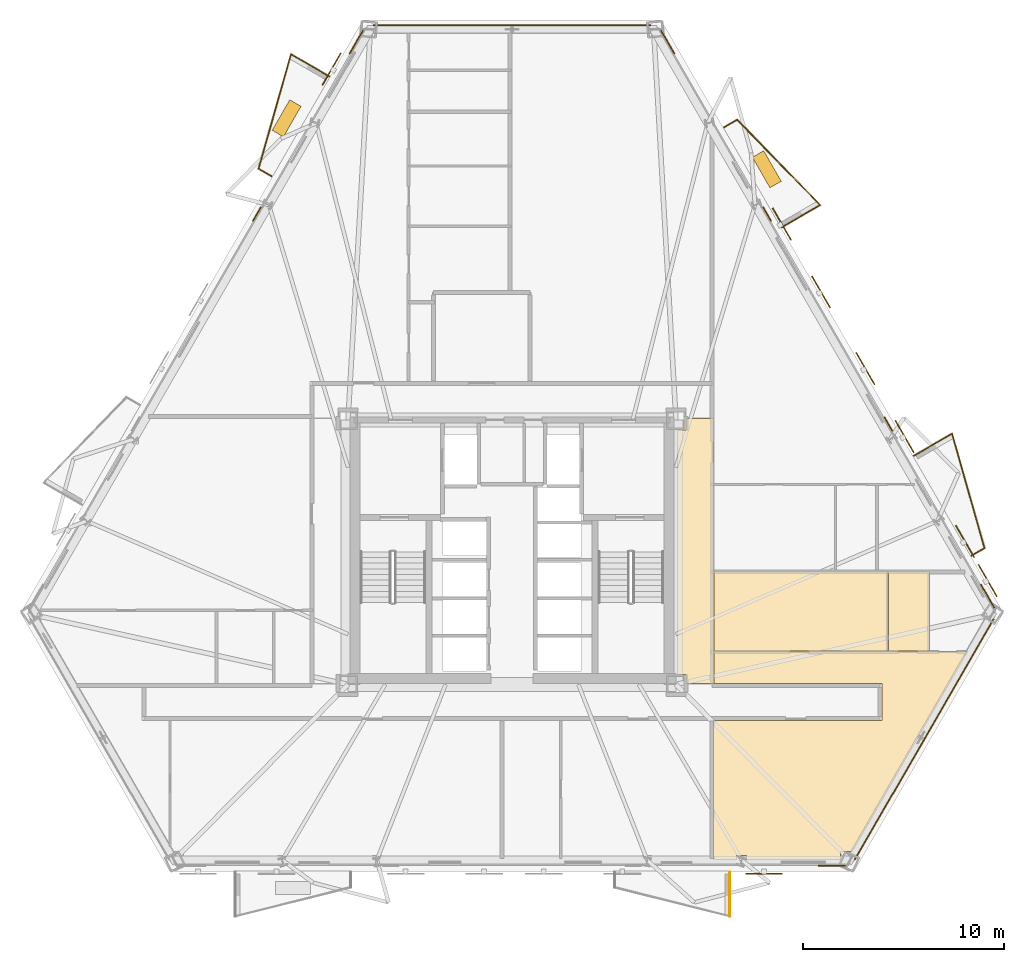
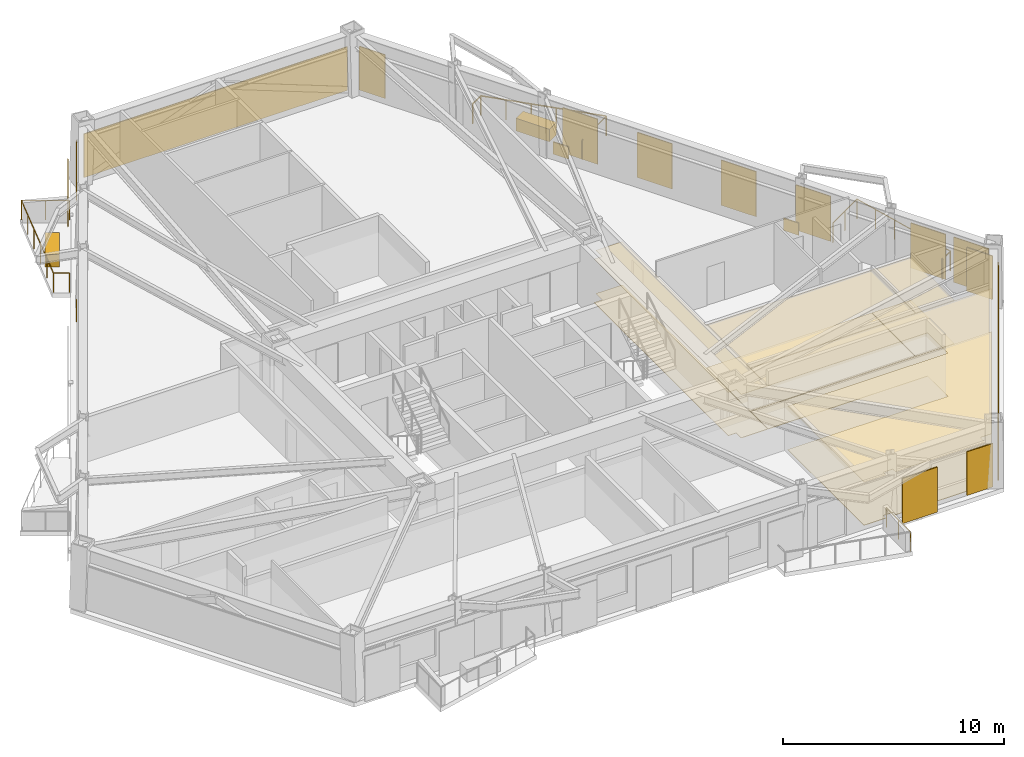
# One storey, part 10 of 10: 19 coverings, 10 railings, 8 shading devices.
"""IFC4 building model written with IfcOpenShell, lengths in metres."""

from ifc_helpers import new_model, si_unit, direction, frame, origin, origin_2d, place, context, subcontext, project, spatial, polyline, rectangle, circle, outline, extrude, material, layer, layer_set, type_object, element, save


model = new_model("IFC4")

# Units and contexts
model_context = context("Model", 3, precision=1e-05, world=origin(), true_north=direction((0.0, 1.0)))
body_context = subcontext(model_context, "Body", "Model", "MODEL_VIEW")
ifc_project = project(units=[si_unit("LENGTHUNIT", "METRE"), si_unit("AREAUNIT", "SQUARE_METRE"), si_unit("VOLUMEUNIT", "CUBIC_METRE"), si_unit("PLANEANGLEUNIT", "RADIAN"), si_unit("MASSUNIT", "GRAM", prefix="KILO")], contexts=[model_context])

# Site, building, storey
site_placement = place(None, origin())
site = spatial("IfcSite", under=ifc_project, at=site_placement, CompositionType="ELEMENT")
building_placement = place(site_placement, origin())
building = spatial("IfcBuilding", under=site, at=building_placement, Name="Oramaril Tower", CompositionType="ELEMENT")
storey_placement = place(building_placement, frame((0.0, 0.0, 56.10009765625)))
storey = spatial("IfcBuildingStorey", under=building, at=storey_placement, Name="L14", CompositionType="ELEMENT", Elevation=56.10009765625)

# Coverings
ifc_material_1 = material(Name="Mineral Fibre Acoustic Ceiling")
ifc_layer_1 = layer(ifc_material_1, 0.02001953125)
ifc_layer_set_1 = layer_set([ifc_layer_1], Name="CVT-CEIL")
covering_type_1 = type_object("IfcCoveringType", Name="CVT-CEIL", PredefinedType="CEILING", material=ifc_layer_set_1)
covering_1_placement = place(storey_placement, frame((0.0, 0.0, 2.39990234375)))
element("IfcCovering", 1, at=covering_1_placement, inside=storey, type_object=covering_type_1, Name="L14 Acoustic Suspended Ceiling 4", PredefinedType="CEILING", context=body_context, shape_type="SweptSolid", body=[
    extrude(outline(polyline([(47.530029296875, 11.050048828125), (46.14501953125, 11.050048828125), (46.14501953125, 11.4951171875), (45.719970703125, 11.4951171875), (45.719970703125, 23.655029296875), (46.14501953125, 23.655029296875), (46.14501953125, 24.219970703125), (47.530029296875, 24.219970703125), (47.530029296875, 11.050048828125)])), origin(), (0.0, 0.0, 1.0), 0.02001953125),
])
covering_2_placement = place(storey_placement, frame((0.0, 0.0, 2.39990234375)))
element("IfcCovering", 2, at=covering_2_placement, inside=storey, type_object=covering_type_1, Name="L14 Acoustic Suspended Ceiling 14", PredefinedType="CEILING", context=body_context, shape_type="SweptSolid", body=[
    extrude(outline(polyline([(60.16650390625, 12.645263671875), (54.4208984375, 2.693603515625), (53.826904296875, 2.693603515625), (53.826904296875, 2.2841796875), (49.15576171875, 2.2841796875), (49.15576171875, 2.5107421875), (48.65087890625, 2.5107421875), (48.65087890625, 2.2841796875), (47.511962890625, 2.2841796875), (47.511962890625, 9.199951171875), (55.8798828125, 9.199951171875), (55.882080078125, 9.2001953125), (55.8837890625, 9.200439453125), (55.8857421875, 9.200927734375), (55.8876953125, 9.201416015625), (55.889404296875, 9.202392578125), (55.89111328125, 9.203369140625), (55.892578125, 9.20458984375), (55.89404296875, 9.205810546875), (55.8955078125, 9.207275390625), (55.896484375, 9.208984375), (55.897705078125, 9.210693359375), (55.8984375, 9.21240234375), (55.899169921875, 9.214111328125), (55.899658203125, 9.216064453125), (55.89990234375, 9.218017578125), (55.89990234375, 9.219970703125), (55.89990234375, 11.030029296875), (55.89990234375, 11.031982421875), (55.899658203125, 11.033935546875), (55.899169921875, 11.035888671875), (55.8984375, 11.03759765625), (55.897705078125, 11.039306640625), (55.896484375, 11.041015625), (55.8955078125, 11.042724609375), (55.89404296875, 11.044189453125), (55.892578125, 11.04541015625), (55.89111328125, 11.046630859375), (55.889404296875, 11.047607421875), (55.8876953125, 11.048583984375), (55.8857421875, 11.049072265625), (55.8837890625, 11.049560546875), (55.882080078125, 11.0498046875), (55.8798828125, 11.050048828125), (47.550048828125, 11.050048828125), (47.550048828125, 12.645263671875), (60.16650390625, 12.645263671875)])), origin(), (0.0, 0.0, 1.0), 0.02001953125),
])
covering_3_placement = place(storey_placement, frame((0.0, 0.0, 2.39990234375)))
element("IfcCovering", 3, at=covering_3_placement, inside=storey, type_object=covering_type_1, Name="L14 Acoustic Suspended Ceiling 15", PredefinedType="CEILING", context=body_context, shape_type="SweptSolid", body=[
    extrude(outline(polyline([(56.19580078125, 16.64208984375), (56.19580078125, 12.665283203125), (47.550048828125, 12.665283203125), (47.550048828125, 16.64208984375), (56.19580078125, 16.64208984375)])), origin(), (0.0, 0.0, 1.0), 0.02001953125),
])
covering_4_placement = place(storey_placement, frame((0.0, 0.0, 2.39990234375)))
element("IfcCovering", 4, at=covering_4_placement, inside=storey, type_object=covering_type_1, Name="L14 Acoustic Suspended Ceiling 16", PredefinedType="CEILING", context=body_context, shape_type="SweptSolid", body=[
    extrude(outline(polyline([(58.245849609375, 16.64208984375), (58.245849609375, 12.665283203125), (56.2158203125, 12.665283203125), (56.2158203125, 16.64208984375), (58.245849609375, 16.64208984375)])), origin(), (0.0, 0.0, 1.0), 0.02001953125),
])
ifc_material_2 = material(Name="Warm Cream Limestone", Category="masonry")
ifc_layer_2 = layer(ifc_material_2, 0.050048828125)
ifc_layer_set_2 = layer_set([ifc_layer_2], Name="CVT-CLD")
covering_type_2 = type_object("IfcCoveringType", Name="CVT-CLD", PredefinedType="CLADDING", material=ifc_layer_set_2)
covering_5_placement = place(storey_placement, frame((53.39697265625, 1.983154296875, 0.039794921875), z_axis=(0.0, 0.0, 1.0), x_axis=(1.0, 0.0, 0.0)))
element("IfcCovering", 5, at=covering_5_placement, inside=storey, type_object=covering_type_2, Name="L14 Warm Cream Limestone Cladding", PredefinedType="CLADDING", context=body_context, shape_type="SweptSolid", body=[
    extrude(rectangle(XDim=1.35009765625, YDim=0.050048828125, at=origin_2d()), origin(), (0.0, 0.0, 1.0), 2.4140625),
])
covering_6_placement = place(storey_placement, frame((57.988525390625, 8.27099609375, 0.039794921875), z_axis=(0.0, 0.0, 1.0), x_axis=(0.500001511499, 0.866024531118, 0.0)))
element("IfcCovering", 6, at=covering_6_placement, inside=storey, type_object=covering_type_2, Name="L14 Warm Cream Limestone Cladding", PredefinedType="CLADDING", context=body_context, shape_type="SweptSolid", body=[
    extrude(rectangle(XDim=13.798095703125, YDim=0.050048828125, at=origin_2d()), origin(), (0.0, 0.0, 1.0), 2.4140625),
])
for number, where, z_axis, x_axis, name in (
    (7, (61.137939453125, 15.39111328125, 0.039794921875), (0.0, 0.0, 1.0), (-0.4999984885, 0.866026276448, 0.0), "L14 Warm Cream Limestone Cladding"),
    (8, (45.2412109375, 42.925537109375, 0.039794921875), (0.0, 0.0, 1.0), (-0.4999984885, 0.866026276448, 0.0), "L14 Warm Cream Limestone Cladding"),
):
    element("IfcCovering", number, at=place(storey_placement, frame(where, z_axis=z_axis, x_axis=x_axis)), inside=storey, type_object=covering_type_2, Name=name, PredefinedType="CLADDING", context=body_context, shape_type="SweptSolid", body=[
        extrude(rectangle(XDim=1.35009765625, YDim=0.050048828125, at=origin_2d()), origin(), (0.0, 0.0, 1.0), 2.4140625),
    ])
for number, where, z_axis, x_axis, name in (
    (9, (56.2041015625, 23.937255859375, 0.0400390625), (0.0, 0.0, 1.0), (-0.4999984885, 0.866026276448, 0.0), "L14 Warm Cream Limestone Spandrel Cladding"),
    (10, (50.17529296875, 34.379638671875, 0.0400390625), (0.0, 0.0, 1.0), (-0.4999984885, 0.866026276448, 0.0), "L14 Warm Cream Limestone Spandrel Cladding"),
):
    element("IfcCovering", number, at=place(storey_placement, frame(where, z_axis=z_axis, x_axis=x_axis)), inside=storey, type_object=covering_type_2, Name=name, PredefinedType="CLADDING", context=body_context, shape_type="SweptSolid", body=[
        extrude(rectangle(XDim=0.800048828125, YDim=0.050048828125, at=origin_2d()), origin(), (0.0, 0.0, 1.0), 0.679931640625),
    ])
covering_7_placement = place(storey_placement, frame((37.5, 43.75830078125, 0.039794921875), z_axis=(0.0, 0.0, 1.0), x_axis=(-1.0, 0.0, 0.0)))
element("IfcCovering", 11, at=covering_7_placement, inside=storey, type_object=covering_type_2, Name="L14 Warm Cream Limestone Cladding", PredefinedType="CLADDING", context=body_context, shape_type="SweptSolid", body=[
    extrude(rectangle(XDim=13.798095703125, YDim=0.050048828125, at=origin_2d()), origin(), (0.0, 0.0, 1.0), 2.4140625),
])
covering_8_placement = place(storey_placement, frame((29.7587890625, 42.925537109375, 0.039794921875), z_axis=(0.0, 0.0, 1.0), x_axis=(-0.4999984885, -0.866026276448, 0.0)))
element("IfcCovering", 12, at=covering_8_placement, inside=storey, type_object=covering_type_2, Name="L14 Warm Cream Limestone Cladding", PredefinedType="CLADDING", context=body_context, shape_type="SweptSolid", body=[
    extrude(rectangle(XDim=1.35009765625, YDim=0.050048828125, at=origin_2d()), origin(), (0.0, 0.0, 1.0), 2.4140625),
])
covering_9_placement = place(storey_placement, frame((24.82470703125, 34.379638671875, 0.0400390625), z_axis=(0.0, 0.0, 1.0), x_axis=(-0.4999984885, -0.866026276448, 0.0)))
element("IfcCovering", 13, at=covering_9_placement, inside=storey, type_object=covering_type_2, Name="L14 Warm Cream Limestone Spandrel Cladding", PredefinedType="CLADDING", context=body_context, shape_type="SweptSolid", body=[
    extrude(rectangle(XDim=0.800048828125, YDim=0.050048828125, at=origin_2d()), origin(), (0.0, 0.0, 1.0), 0.679931640625),
])
for number, where, z_axis, x_axis, name in (
    (14, (50.1640625, 36.60595703125, 0.0), (0.0, 0.0, 1.0), (-0.4999984885, 0.866026276448, 0.0), "L14 Structural Tree Planter Box L14-BAL-NE2"),
    (15, (26.29833984375, 39.138916015625, 0.0), (0.0, 0.0, 1.0), (-0.4999984885, -0.866026276448, 0.0), "L14 Structural Tree Planter Box L14-BAL-NW1"),
):
    element("IfcCovering", number, at=place(storey_placement, frame(where, z_axis=z_axis, x_axis=x_axis)), inside=storey, type_object=covering_type_2, Name=name, PredefinedType="CLADDING", context=body_context, shape_type="SweptSolid", body=[
        extrude(rectangle(XDim=1.75, YDim=0.64990234375, at=origin_2d()), origin(), (0.0, 0.0, 1.0), 0.699951171875),
    ])
ifc_material_3 = material(Name="Honed Quartzite Stone Flooring", Category="masonry")
ifc_layer_3 = layer(ifc_material_3, 0.02490234375)
ifc_layer_set_3 = layer_set([ifc_layer_3], Name="CVT-FLR")
covering_type_3 = type_object("IfcCoveringType", Name="CVT-FLR", PredefinedType="FLOORING", material=ifc_layer_set_3)
covering_10_placement = place(storey_placement, origin())
element("IfcCovering", 16, at=covering_10_placement, inside=storey, type_object=covering_type_3, Name="L14 Honed Stone Floor Finish 4", PredefinedType="FLOORING", context=body_context, shape_type="SweptSolid", body=[
    extrude(outline(polyline([(47.530029296875, 11.050048828125), (46.14501953125, 11.050048828125), (46.14501953125, 11.4951171875), (45.719970703125, 11.4951171875), (45.719970703125, 23.655029296875), (46.14501953125, 23.655029296875), (46.14501953125, 24.219970703125), (47.530029296875, 24.219970703125), (47.530029296875, 11.050048828125)])), origin(), (0.0, 0.0, 1.0), 0.02490234375),
])
covering_11_placement = place(storey_placement, origin())
element("IfcCovering", 17, at=covering_11_placement, inside=storey, type_object=covering_type_3, Name="L14 Honed Stone Floor Finish 14", PredefinedType="FLOORING", context=body_context, shape_type="SweptSolid", body=[
    extrude(outline(polyline([(60.16650390625, 12.645263671875), (54.4208984375, 2.693603515625), (53.826904296875, 2.693603515625), (53.826904296875, 2.2841796875), (49.15576171875, 2.2841796875), (49.15576171875, 2.5107421875), (48.65087890625, 2.5107421875), (48.65087890625, 2.2841796875), (47.511962890625, 2.2841796875), (47.511962890625, 9.199951171875), (55.8798828125, 9.199951171875), (55.882080078125, 9.2001953125), (55.8837890625, 9.200439453125), (55.8857421875, 9.200927734375), (55.8876953125, 9.201416015625), (55.889404296875, 9.202392578125), (55.89111328125, 9.203369140625), (55.892578125, 9.20458984375), (55.89404296875, 9.205810546875), (55.8955078125, 9.207275390625), (55.896484375, 9.208984375), (55.897705078125, 9.210693359375), (55.8984375, 9.21240234375), (55.899169921875, 9.214111328125), (55.899658203125, 9.216064453125), (55.89990234375, 9.218017578125), (55.89990234375, 9.219970703125), (55.89990234375, 11.030029296875), (55.89990234375, 11.031982421875), (55.899658203125, 11.033935546875), (55.899169921875, 11.035888671875), (55.8984375, 11.03759765625), (55.897705078125, 11.039306640625), (55.896484375, 11.041015625), (55.8955078125, 11.042724609375), (55.89404296875, 11.044189453125), (55.892578125, 11.04541015625), (55.89111328125, 11.046630859375), (55.889404296875, 11.047607421875), (55.8876953125, 11.048583984375), (55.8857421875, 11.049072265625), (55.8837890625, 11.049560546875), (55.882080078125, 11.0498046875), (55.8798828125, 11.050048828125), (47.550048828125, 11.050048828125), (47.550048828125, 12.645263671875), (60.16650390625, 12.645263671875)])), origin(), (0.0, 0.0, 1.0), 0.02490234375),
])
covering_12_placement = place(storey_placement, origin())
element("IfcCovering", 18, at=covering_12_placement, inside=storey, type_object=covering_type_3, Name="L14 Honed Stone Floor Finish 15", PredefinedType="FLOORING", context=body_context, shape_type="SweptSolid", body=[
    extrude(outline(polyline([(56.19580078125, 16.64208984375), (56.19580078125, 12.665283203125), (47.550048828125, 12.665283203125), (47.550048828125, 16.64208984375), (56.19580078125, 16.64208984375)])), origin(), (0.0, 0.0, 1.0), 0.02490234375),
])
covering_13_placement = place(storey_placement, origin())
element("IfcCovering", 19, at=covering_13_placement, inside=storey, type_object=covering_type_3, Name="L14 Honed Stone Floor Finish 16", PredefinedType="FLOORING", context=body_context, shape_type="SweptSolid", body=[
    extrude(outline(polyline([(58.245849609375, 16.64208984375), (58.245849609375, 12.665283203125), (56.2158203125, 12.665283203125), (56.2158203125, 16.64208984375), (58.245849609375, 16.64208984375)])), origin(), (0.0, 0.0, 1.0), 0.02490234375),
])

# Railings
ifc_material_4 = material(Name="Stainless Steel 316L", Category="steel")
railing_type = type_object("IfcRailingType", Name="RLT-GRD", PredefinedType="GUARDRAIL", material=ifc_material_4)
railing_1_placement = place(storey_placement, frame((48.327392578125, 1.668212890625, 0.0)))
element("IfcRailing", 20, at=railing_1_placement, inside=storey, type_object=railing_type, Name="L14 Balcony Guardrail L14-BAL-S2.1", PredefinedType="GUARDRAIL", context=body_context, shape_type="SweptSolid", body=[
    extrude(circle(Radius=0.02392578125, at=origin_2d()), frame((0.0, 0.0, 1.076171875), z_axis=(0.0, -1.0, 0.0), x_axis=(1.0, 0.0, 0.0)), (0.0, 0.0, 1.0), 2.19189453125),
    extrude(circle(Radius=0.02099609375, at=origin_2d()), origin(), (0.0, 0.0, 1.0), 1.052001953125),
    extrude(circle(Radius=0.02099609375, at=origin_2d()), frame((0.0, -1.095947265625, 0.0)), (0.0, 0.0, 1.0), 1.052001953125),
    extrude(circle(Radius=0.02099609375, at=origin_2d()), frame((0.0, -2.19189453125, 0.0)), (0.0, 0.0, 1.0), 1.052001953125),
])
railing_2_placement = place(storey_placement, frame((57.4736328125, 22.3681640625, 0.0)))
element("IfcRailing", 21, at=railing_2_placement, inside=storey, type_object=railing_type, Name="L14 Balcony Guardrail L14-BAL-NE1.1", PredefinedType="GUARDRAIL", context=body_context, shape_type="SweptSolid", body=[
    extrude(circle(Radius=0.02392578125, at=origin_2d()), frame((0.0, 0.0, 1.076171875), z_axis=(0.866048343933, 0.499960264392, 0.0), x_axis=(-0.499960264392, 0.866048343933, 0.0)), (0.0, 0.0, 1.0), 2.192138671875),
    extrude(circle(Radius=0.02099609375, at=origin_2d()), origin(), (0.0, 0.0, 1.0), 1.052001953125),
    extrude(circle(Radius=0.02099609375, at=origin_2d()), frame((0.94921875, 0.5478515625, 0.0)), (0.0, 0.0, 1.0), 1.052001953125),
    extrude(circle(Radius=0.02099609375, at=origin_2d()), frame((1.8984375, 1.095947265625, 0.0)), (0.0, 0.0, 1.0), 1.052001953125),
])
railing_3_placement = place(storey_placement, frame((59.3720703125, 23.464111328125, 0.0)))
element("IfcRailing", 22, at=railing_3_placement, inside=storey, type_object=railing_type, Name="L14 Balcony Guardrail L14-BAL-NE1.2", PredefinedType="GUARDRAIL", context=body_context, shape_type="SweptSolid", body=[
    extrude(circle(Radius=0.02392578125, at=origin_2d()), frame((0.0, 0.0, 1.076171875), z_axis=(0.27224886544, -0.962226873074, 0.0), x_axis=(0.962226873074, 0.27224886544, 0.0)), (0.0, 0.0, 1.0), 5.910400390625),
    extrude(circle(Radius=0.02099609375, at=origin_2d()), origin(), (0.0, 0.0, 1.0), 1.052001953125),
    extrude(circle(Radius=0.02099609375, at=origin_2d()), frame((0.32177734375, -1.137451171875, 0.0)), (0.0, 0.0, 1.0), 1.052001953125),
    extrude(circle(Radius=0.02099609375, at=origin_2d()), frame((0.6435546875, -2.27490234375, 0.0)), (0.0, 0.0, 1.0), 1.052001953125),
    extrude(circle(Radius=0.02099609375, at=origin_2d()), frame((0.965576171875, -3.412353515625, 0.0)), (0.0, 0.0, 1.0), 1.052001953125),
    extrude(circle(Radius=0.02099609375, at=origin_2d()), frame((1.287353515625, -4.5498046875, 0.0)), (0.0, 0.0, 1.0), 1.052001953125),
    extrude(circle(Radius=0.02099609375, at=origin_2d()), frame((1.609130859375, -5.687255859375, 0.0)), (0.0, 0.0, 1.0), 1.052001953125),
])
railing_4_placement = place(storey_placement, frame((60.981201171875, 17.77685546875, 0.0)))
element("IfcRailing", 23, at=railing_4_placement, inside=storey, type_object=railing_type, Name="L14 Balcony Guardrail L14-BAL-NE1.3", PredefinedType="GUARDRAIL", context=body_context, shape_type="SweptSolid", body=[
    extrude(circle(Radius=0.02392578125, at=origin_2d()), frame((0.0, 0.0, 1.076171875), z_axis=(-0.866108878364, -0.499855389907, 0.0), x_axis=(0.499855389907, -0.866108878364, 0.0)), (0.0, 0.0, 1.0), 0.741943359375),
    extrude(circle(Radius=0.02099609375, at=origin_2d()), origin(), (0.0, 0.0, 1.0), 1.052001953125),
    extrude(circle(Radius=0.02099609375, at=origin_2d()), frame((-0.642578125, -0.370849609375, 0.0)), (0.0, 0.0, 1.0), 1.052001953125),
])
railing_5_placement = place(storey_placement, frame((48.048583984375, 38.69287109375, 0.0)))
element("IfcRailing", 24, at=railing_5_placement, inside=storey, type_object=railing_type, Name="L14 Balcony Guardrail L14-BAL-NE2.1", PredefinedType="GUARDRAIL", context=body_context, shape_type="SweptSolid", body=[
    extrude(circle(Radius=0.02392578125, at=origin_2d()), frame((0.0, 0.0, 1.076171875), z_axis=(0.866108878364, 0.499855389907, 0.0), x_axis=(-0.499855389907, 0.866108878364, 0.0)), (0.0, 0.0, 1.0), 0.741943359375),
    extrude(circle(Radius=0.02099609375, at=origin_2d()), origin(), (0.0, 0.0, 1.0), 1.052001953125),
    extrude(circle(Radius=0.02099609375, at=origin_2d()), frame((0.642578125, 0.370849609375, 0.0)), (0.0, 0.0, 1.0), 1.052001953125),
])
railing_6_placement = place(storey_placement, frame((48.691162109375, 39.063720703125, 0.0)))
element("IfcRailing", 25, at=railing_6_placement, inside=storey, type_object=railing_type, Name="L14 Balcony Guardrail L14-BAL-NE2.2", PredefinedType="GUARDRAIL", context=body_context, shape_type="SweptSolid", body=[
    extrude(circle(Radius=0.02392578125, at=origin_2d()), frame((0.0, 0.0, 1.076171875), z_axis=(0.697186915353, -0.716889395277, 0.0), x_axis=(0.716889395277, 0.697186915353, 0.0)), (0.0, 0.0, 1.0), 5.91064453125),
    extrude(circle(Radius=0.02099609375, at=origin_2d()), origin(), (0.0, 0.0, 1.0), 1.052001953125),
    extrude(circle(Radius=0.02099609375, at=origin_2d()), frame((0.82421875, -0.847412109375, 0.0)), (0.0, 0.0, 1.0), 1.052001953125),
    extrude(circle(Radius=0.02099609375, at=origin_2d()), frame((1.6484375, -1.69482421875, 0.0)), (0.0, 0.0, 1.0), 1.052001953125),
    extrude(circle(Radius=0.02099609375, at=origin_2d()), frame((2.472412109375, -2.54248046875, 0.0)), (0.0, 0.0, 1.0), 1.052001953125),
    extrude(circle(Radius=0.02099609375, at=origin_2d()), frame((3.296630859375, -3.389892578125, 0.0)), (0.0, 0.0, 1.0), 1.052001953125),
    extrude(circle(Radius=0.02099609375, at=origin_2d()), frame((4.120849609375, -4.2373046875, 0.0)), (0.0, 0.0, 1.0), 1.052001953125),
])
railing_7_placement = place(storey_placement, frame((52.81201171875, 34.826416015625, 0.0)))
element("IfcRailing", 26, at=railing_7_placement, inside=storey, type_object=railing_type, Name="L14 Balcony Guardrail L14-BAL-NE2.3", PredefinedType="GUARDRAIL", context=body_context, shape_type="SweptSolid", body=[
    extrude(circle(Radius=0.02392578125, at=origin_2d()), frame((0.0, 0.0, 1.076171875), z_axis=(-0.866020500697, -0.5000084923, 0.0), x_axis=(0.5000084923, -0.866020500697, 0.0)), (0.0, 0.0, 1.0), 2.19189453125),
    extrude(circle(Radius=0.02099609375, at=origin_2d()), origin(), (0.0, 0.0, 1.0), 1.052001953125),
    extrude(circle(Radius=0.02099609375, at=origin_2d()), frame((-0.94921875, -0.5478515625, 0.0)), (0.0, 0.0, 1.0), 1.052001953125),
    extrude(circle(Radius=0.02099609375, at=origin_2d()), frame((-1.898193359375, -1.095947265625, 0.0)), (0.0, 0.0, 1.0), 1.052001953125),
])
railing_8_placement = place(storey_placement, frame((25.548828125, 36.263671875, 0.0)))
element("IfcRailing", 27, at=railing_8_placement, inside=storey, type_object=railing_type, Name="L14 Balcony Guardrail L14-BAL-NW1.1", PredefinedType="GUARDRAIL", context=body_context, shape_type="SweptSolid", body=[
    extrude(circle(Radius=0.02392578125, at=origin_2d()), frame((0.0, 0.0, 1.076171875), z_axis=(-0.865966403178, 0.500102178127, 0.0), x_axis=(-0.500102178127, -0.865966403178, 0.0)), (0.0, 0.0, 1.0), 0.741943359375),
    extrude(circle(Radius=0.02099609375, at=origin_2d()), origin(), (0.0, 0.0, 1.0), 1.052001953125),
    extrude(circle(Radius=0.02099609375, at=origin_2d()), frame((-0.642578125, 0.37109375, 0.0)), (0.0, 0.0, 1.0), 1.052001953125),
])
railing_9_placement = place(storey_placement, frame((24.90625, 36.634765625, 0.0)))
element("IfcRailing", 28, at=railing_9_placement, inside=storey, type_object=railing_type, Name="L14 Balcony Guardrail L14-BAL-NW1.2", PredefinedType="GUARDRAIL", context=body_context, shape_type="SweptSolid", body=[
    extrude(circle(Radius=0.02392578125, at=origin_2d()), frame((0.0, 0.0, 1.076171875), z_axis=(0.27224886544, 0.962226873074, 0.0), x_axis=(-0.962226873074, 0.27224886544, 0.0)), (0.0, 0.0, 1.0), 5.910400390625),
    extrude(circle(Radius=0.02099609375, at=origin_2d()), origin(), (0.0, 0.0, 1.0), 1.052001953125),
    extrude(circle(Radius=0.02099609375, at=origin_2d()), frame((0.32177734375, 1.137451171875, 0.0)), (0.0, 0.0, 1.0), 1.052001953125),
    extrude(circle(Radius=0.02099609375, at=origin_2d()), frame((0.6435546875, 2.27490234375, 0.0)), (0.0, 0.0, 1.0), 1.052001953125),
    extrude(circle(Radius=0.02099609375, at=origin_2d()), frame((0.965576171875, 3.412353515625, 0.0)), (0.0, 0.0, 1.0), 1.052001953125),
    extrude(circle(Radius=0.02099609375, at=origin_2d()), frame((1.287353515625, 4.5498046875, 0.0)), (0.0, 0.0, 1.0), 1.052001953125),
    extrude(circle(Radius=0.02099609375, at=origin_2d()), frame((1.609130859375, 5.687255859375, 0.0)), (0.0, 0.0, 1.0), 1.052001953125),
])
railing_10_placement = place(storey_placement, frame((26.515380859375, 42.322021484375, 0.0)))
element("IfcRailing", 29, at=railing_10_placement, inside=storey, type_object=railing_type, Name="L14 Balcony Guardrail L14-BAL-NW1.3", PredefinedType="GUARDRAIL", context=body_context, shape_type="SweptSolid", body=[
    extrude(circle(Radius=0.02392578125, at=origin_2d()), frame((0.0, 0.0, 1.076171875), z_axis=(0.866000118559, -0.500043792738, 0.0), x_axis=(0.500043792738, 0.866000118559, 0.0)), (0.0, 0.0, 1.0), 2.192138671875),
    extrude(circle(Radius=0.02099609375, at=origin_2d()), origin(), (0.0, 0.0, 1.0), 1.052001953125),
    extrude(circle(Radius=0.02099609375, at=origin_2d()), frame((0.94921875, -0.548095703125, 0.0)), (0.0, 0.0, 1.0), 1.052001953125),
    extrude(circle(Radius=0.02099609375, at=origin_2d()), frame((1.8984375, -1.09619140625, 0.0)), (0.0, 0.0, 1.0), 1.052001953125),
])

# Shading devices
for number, where, z_axis, x_axis, name in (
    (30, (50.022216796875, 1.59619140625, -0.02001953125), (0.0, 0.0, 1.0), (1.0, 0.0, 0.0), "L14 Perforated Ceramic Solar Screen"),
    (31, (61.13818359375, 16.164794921875, -0.02001953125), (0.0, 0.0, 1.0), (-0.4999984885, 0.866026276448, 0.0), "L14 Perforated Ceramic Solar Screen"),
    (32, (57.00927734375, 23.31640625, -0.02001953125), (0.0, 0.0, 1.0), (-0.4999984885, 0.866026276448, 0.0), "L14 Perforated Ceramic Solar Screen"),
    (33, (55.059326171875, 26.694091796875, -0.02001953125), (0.0, 0.0, 1.0), (-0.4999984885, 0.866026276448, 0.0), "L14 Perforated Ceramic Solar Screen"),
    (34, (52.85888671875, 30.505126953125, -0.02001953125), (0.0, 0.0, 1.0), (-0.4999984885, 0.866026276448, 0.0), "L14 Perforated Ceramic Solar Screen"),
    (35, (50.908935546875, 33.882568359375, -0.02001953125), (0.0, 0.0, 1.0), (-0.4999984885, 0.866026276448, 0.0), "L14 Perforated Ceramic Solar Screen"),
    (36, (60.017333984375, 18.106201171875, -0.02001953125), (0.0, 0.0, 1.0), (-0.4999984885, 0.866026276448, 0.0), "L14 Perforated Ceramic Solar Screen"),
    (37, (28.53857421875, 41.585693359375, -0.02001953125), (0.0, 0.0, 1.0), (-0.4999984885, -0.866026276448, 0.0), "L14 Perforated Ceramic Solar Screen"),
):
    element("IfcShadingDevice", number, at=place(storey_placement, frame(where, z_axis=z_axis, x_axis=x_axis)), inside=storey, Name=name, ObjectType="SCREEN", PredefinedType="USERDEFINED", context=body_context, shape_type="SweptSolid", body=[
        extrude(rectangle(XDim=1.8330078125, YDim=0.050048828125, at=origin_2d()), origin(), (0.0, 0.0, 1.0), 2.493896484375),
    ])

save(model, "model.ifc")
